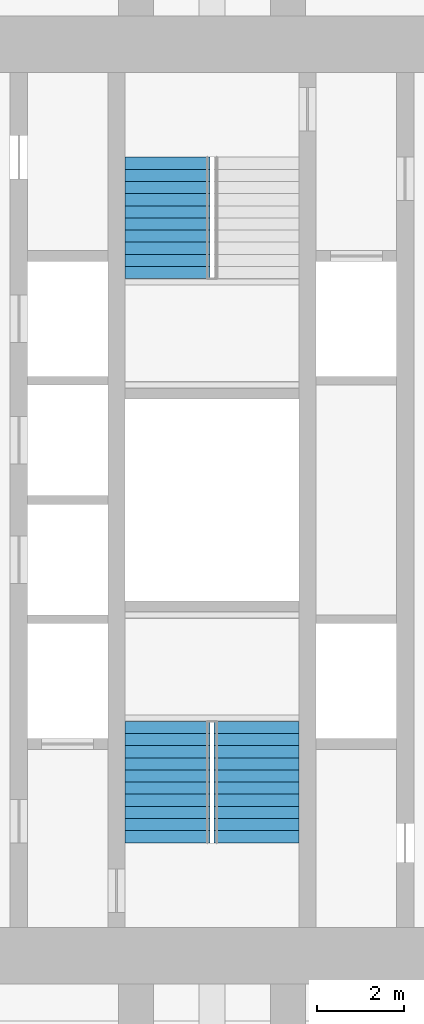
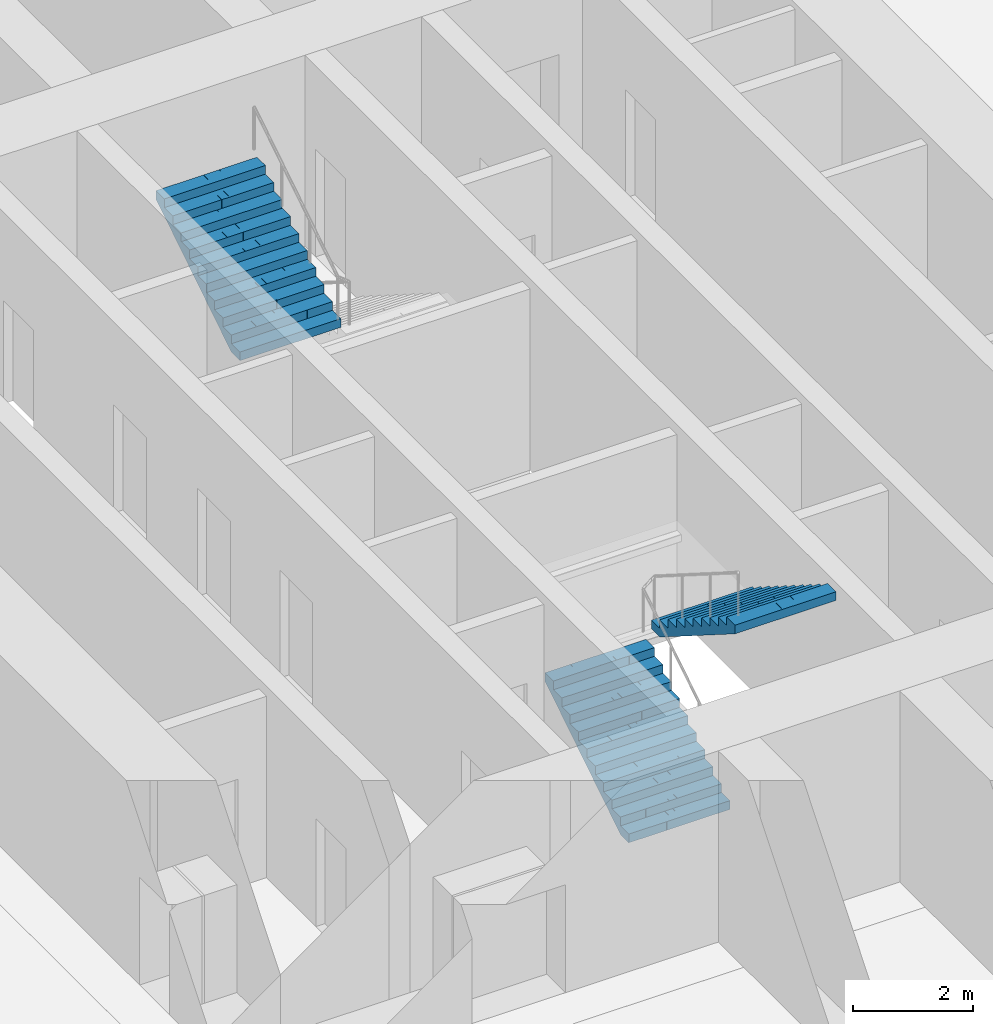
# One storey, part 18 of 20: 3 stair flights, 2 elements without a shape of their own.
"""IFC4 building model written with IfcOpenShell, lengths in metres."""

from ifc_helpers import new_model, si_unit, direction, frame, origin, place, context, subcontext, project, spatial, polyline, outline, extrude, material, type_object, element, aggregate, save


model = new_model("IFC4")

# Units and contexts
model_context = context("Model", 3, precision=1e-05, world=origin(), true_north=direction((0.0, 1.0)))
body_context = subcontext(model_context, "Body", "Model", "MODEL_VIEW")
ifc_project = project(units=[si_unit("LENGTHUNIT", "METRE"), si_unit("AREAUNIT", "SQUARE_METRE"), si_unit("VOLUMEUNIT", "CUBIC_METRE"), si_unit("PLANEANGLEUNIT", "RADIAN"), si_unit("MASSUNIT", "GRAM", prefix="KILO")], contexts=[model_context])

# Site, building, storey
site_placement = place(None, origin())
site = spatial("IfcSite", under=ifc_project, at=site_placement, CompositionType="ELEMENT")
building_placement = place(site_placement, origin())
building = spatial("IfcBuilding", under=site, at=building_placement, Name="Mizan Broadcast Tower", CompositionType="ELEMENT")
storey_placement = place(building_placement, frame((0.0, 0.0, 151.5)))
storey = spatial("IfcBuildingStorey", under=building, at=storey_placement, Name="L34", CompositionType="ELEMENT", Elevation=151.5)

# Stair, stair flights
ifc_material_1 = material(Name="Concrete C40/50", Category="concrete")
stair_type = type_object("IfcStairType", Name="EXIT STAIR", PredefinedType="HALF_TURN_STAIR", material=ifc_material_1)
stair_1_placement = place(storey_placement, origin())
stair_1 = element("IfcStair", 1, at=stair_1_placement, inside=storey, type_object=stair_type, Name="Stair A L34", PredefinedType="HALF_TURN_STAIR")
ifc_material_2 = material(Name="Concrete C40/50", Category="concrete")
stair_flight_type = type_object("IfcStairFlightType", Name="EXIT STAIR FLIGHT", PredefinedType="STRAIGHT", material=ifc_material_2)
stair_flight_1_placement = place(storey_placement, frame((-1.02490234375, -7.89990234375, 0.0), z_axis=(0.0, 0.0, 1.0), x_axis=(0.0, 1.0, 0.0)))
stair_flight_1 = element("IfcStairFlight", 2, at=stair_flight_1_placement, type_object=stair_flight_type, Name="A flight 1", NumberOfRisers=11, NumberOfTreads=10, PredefinedType="STRAIGHT", RiserHeight=0.177272727, TreadLength=0.28, context=body_context, shape_type="SweptSolid", body=[
    extrude(outline(polyline([(0.0, 0.0), (0.0, 0.17724609375), (0.280029296875, 0.17724609375), (0.280029296875, 0.3544921875), (0.56005859375, 0.3544921875), (0.56005859375, 0.53173828125), (0.840087890625, 0.53173828125), (0.840087890625, 0.708984375), (1.1201171875, 0.708984375), (1.1201171875, 0.886474609375), (1.39990234375, 0.886474609375), (1.39990234375, 1.063720703125), (1.679931640625, 1.063720703125), (1.679931640625, 1.240966796875), (1.9599609375, 1.240966796875), (1.9599609375, 1.418212890625), (2.239990234375, 1.418212890625), (2.239990234375, 1.595458984375), (2.52001953125, 1.595458984375), (2.52001953125, 1.772705078125), (2.800048828125, 1.772705078125), (2.800048828125, 1.949951171875), (2.800048828125, 1.59521484375), (0.2802734375, 0.0), (0.0, 0.0)])), frame((0.0, 0.97509765625, 0.0), z_axis=(0.0, -1.0, 0.0), x_axis=(1.0, 0.0, 0.0)), (0.0, 0.0, 1.0), 0.4873046875),
    extrude(outline(polyline([(0.0, 0.0), (0.0, 0.17724609375), (0.280029296875, 0.17724609375), (0.280029296875, 0.3544921875), (0.56005859375, 0.3544921875), (0.56005859375, 0.53173828125), (0.840087890625, 0.53173828125), (0.840087890625, 0.708984375), (1.1201171875, 0.708984375), (1.1201171875, 0.886474609375), (1.39990234375, 0.886474609375), (1.39990234375, 1.063720703125), (1.679931640625, 1.063720703125), (1.679931640625, 1.240966796875), (1.9599609375, 1.240966796875), (1.9599609375, 1.418212890625), (2.239990234375, 1.418212890625), (2.239990234375, 1.595458984375), (2.52001953125, 1.595458984375), (2.52001953125, 1.772705078125), (2.800048828125, 1.772705078125), (2.800048828125, 1.949951171875), (2.800048828125, 1.59521484375), (0.2802734375, 0.0), (0.0, 0.0)])), frame((0.0, 0.4873046875, 0.0), z_axis=(0.0, -1.0, 0.0), x_axis=(1.0, 0.0, 0.0)), (0.0, 0.0, 1.0), 0.2431640625),
    extrude(outline(polyline([(0.0, 0.0), (0.0, 0.17724609375), (0.280029296875, 0.17724609375), (0.280029296875, 0.3544921875), (0.56005859375, 0.3544921875), (0.56005859375, 0.53173828125), (0.840087890625, 0.53173828125), (0.840087890625, 0.708984375), (1.1201171875, 0.708984375), (1.1201171875, 0.886474609375), (1.39990234375, 0.886474609375), (1.39990234375, 1.063720703125), (1.679931640625, 1.063720703125), (1.679931640625, 1.240966796875), (1.9599609375, 1.240966796875), (1.9599609375, 1.418212890625), (2.239990234375, 1.418212890625), (2.239990234375, 1.595458984375), (2.52001953125, 1.595458984375), (2.52001953125, 1.772705078125), (2.800048828125, 1.772705078125), (2.800048828125, 1.949951171875), (2.800048828125, 1.59521484375), (0.2802734375, 0.0), (0.0, 0.0)])), frame((0.0, 0.24365234375, 0.0), z_axis=(0.0, -1.0, 0.0), x_axis=(1.0, 0.0, 0.0)), (0.0, 0.0, 1.0), 0.121337890625),
    extrude(outline(polyline([(0.0, 0.0), (0.0, 0.17724609375), (0.280029296875, 0.17724609375), (0.280029296875, 0.3544921875), (0.56005859375, 0.3544921875), (0.56005859375, 0.53173828125), (0.840087890625, 0.53173828125), (0.840087890625, 0.708984375), (1.1201171875, 0.708984375), (1.1201171875, 0.886474609375), (1.39990234375, 0.886474609375), (1.39990234375, 1.063720703125), (1.679931640625, 1.063720703125), (1.679931640625, 1.240966796875), (1.9599609375, 1.240966796875), (1.9599609375, 1.418212890625), (2.239990234375, 1.418212890625), (2.239990234375, 1.595458984375), (2.52001953125, 1.595458984375), (2.52001953125, 1.772705078125), (2.800048828125, 1.772705078125), (2.800048828125, 1.949951171875), (2.800048828125, 1.59521484375), (0.2802734375, 0.0), (0.0, 0.0)])), frame((0.0, 0.121826171875, 0.0), z_axis=(0.0, -1.0, 0.0), x_axis=(1.0, 0.0, 0.0)), (0.0, 0.0, 1.0), 0.060546875),
    extrude(outline(polyline([(0.0, 0.0), (0.0, 0.17724609375), (0.280029296875, 0.17724609375), (0.280029296875, 0.3544921875), (0.56005859375, 0.3544921875), (0.56005859375, 0.53173828125), (0.840087890625, 0.53173828125), (0.840087890625, 0.708984375), (1.1201171875, 0.708984375), (1.1201171875, 0.886474609375), (1.39990234375, 0.886474609375), (1.39990234375, 1.063720703125), (1.679931640625, 1.063720703125), (1.679931640625, 1.240966796875), (1.9599609375, 1.240966796875), (1.9599609375, 1.418212890625), (2.239990234375, 1.418212890625), (2.239990234375, 1.595458984375), (2.52001953125, 1.595458984375), (2.52001953125, 1.772705078125), (2.800048828125, 1.772705078125), (2.800048828125, 1.949951171875), (2.800048828125, 1.59521484375), (0.2802734375, 0.0), (0.0, 0.0)])), frame((0.0, 0.060791015625, 0.0), z_axis=(0.0, -1.0, 0.0), x_axis=(1.0, 0.0, 0.0)), (0.0, 0.0, 1.0), 0.030029296875),
    extrude(outline(polyline([(0.0, 0.0), (0.0, 0.17724609375), (0.280029296875, 0.17724609375), (0.280029296875, 0.3544921875), (0.56005859375, 0.3544921875), (0.56005859375, 0.53173828125), (0.840087890625, 0.53173828125), (0.840087890625, 0.708984375), (1.1201171875, 0.708984375), (1.1201171875, 0.886474609375), (1.39990234375, 0.886474609375), (1.39990234375, 1.063720703125), (1.679931640625, 1.063720703125), (1.679931640625, 1.240966796875), (1.9599609375, 1.240966796875), (1.9599609375, 1.418212890625), (2.239990234375, 1.418212890625), (2.239990234375, 1.595458984375), (2.52001953125, 1.595458984375), (2.52001953125, 1.772705078125), (2.800048828125, 1.772705078125), (2.800048828125, 1.949951171875), (2.800048828125, 1.59521484375), (0.2802734375, 0.0), (0.0, 0.0)])), frame((0.0, 0.0302734375, 0.0), z_axis=(0.0, -1.0, 0.0), x_axis=(1.0, 0.0, 0.0)), (0.0, 0.0, 1.0), 0.060302734375),
    extrude(outline(polyline([(0.0, 0.0), (0.0, 0.17724609375), (0.280029296875, 0.17724609375), (0.280029296875, 0.3544921875), (0.56005859375, 0.3544921875), (0.56005859375, 0.53173828125), (0.840087890625, 0.53173828125), (0.840087890625, 0.708984375), (1.1201171875, 0.708984375), (1.1201171875, 0.886474609375), (1.39990234375, 0.886474609375), (1.39990234375, 1.063720703125), (1.679931640625, 1.063720703125), (1.679931640625, 1.240966796875), (1.9599609375, 1.240966796875), (1.9599609375, 1.418212890625), (2.239990234375, 1.418212890625), (2.239990234375, 1.595458984375), (2.52001953125, 1.595458984375), (2.52001953125, 1.772705078125), (2.800048828125, 1.772705078125), (2.800048828125, 1.949951171875), (2.800048828125, 1.59521484375), (0.2802734375, 0.0), (0.0, 0.0)])), frame((0.0, -0.030517578125, 0.0), z_axis=(0.0, -1.0, 0.0), x_axis=(1.0, 0.0, 0.0)), (0.0, 0.0, 1.0), 0.030029296875),
    extrude(outline(polyline([(0.0, 0.0), (0.0, 0.17724609375), (0.280029296875, 0.17724609375), (0.280029296875, 0.3544921875), (0.56005859375, 0.3544921875), (0.56005859375, 0.53173828125), (0.840087890625, 0.53173828125), (0.840087890625, 0.708984375), (1.1201171875, 0.708984375), (1.1201171875, 0.886474609375), (1.39990234375, 0.886474609375), (1.39990234375, 1.063720703125), (1.679931640625, 1.063720703125), (1.679931640625, 1.240966796875), (1.9599609375, 1.240966796875), (1.9599609375, 1.418212890625), (2.239990234375, 1.418212890625), (2.239990234375, 1.595458984375), (2.52001953125, 1.595458984375), (2.52001953125, 1.772705078125), (2.800048828125, 1.772705078125), (2.800048828125, 1.949951171875), (2.800048828125, 1.59521484375), (0.2802734375, 0.0), (0.0, 0.0)])), frame((0.0, -0.06103515625, 0.0), z_axis=(0.0, -1.0, 0.0), x_axis=(1.0, 0.0, 0.0)), (0.0, 0.0, 1.0), 0.060546875),
    extrude(outline(polyline([(0.0, 0.0), (0.0, 0.17724609375), (0.280029296875, 0.17724609375), (0.280029296875, 0.3544921875), (0.56005859375, 0.3544921875), (0.56005859375, 0.53173828125), (0.840087890625, 0.53173828125), (0.840087890625, 0.708984375), (1.1201171875, 0.708984375), (1.1201171875, 0.886474609375), (1.39990234375, 0.886474609375), (1.39990234375, 1.063720703125), (1.679931640625, 1.063720703125), (1.679931640625, 1.240966796875), (1.9599609375, 1.240966796875), (1.9599609375, 1.418212890625), (2.239990234375, 1.418212890625), (2.239990234375, 1.595458984375), (2.52001953125, 1.595458984375), (2.52001953125, 1.772705078125), (2.800048828125, 1.772705078125), (2.800048828125, 1.949951171875), (2.800048828125, 1.59521484375), (0.2802734375, 0.0), (0.0, 0.0)])), frame((0.0, -0.1220703125, 0.0), z_axis=(0.0, -1.0, 0.0), x_axis=(1.0, 0.0, 0.0)), (0.0, 0.0, 1.0), 0.121337890625),
    extrude(outline(polyline([(0.0, 0.0), (0.0, 0.17724609375), (0.280029296875, 0.17724609375), (0.280029296875, 0.3544921875), (0.56005859375, 0.3544921875), (0.56005859375, 0.53173828125), (0.840087890625, 0.53173828125), (0.840087890625, 0.708984375), (1.1201171875, 0.708984375), (1.1201171875, 0.886474609375), (1.39990234375, 0.886474609375), (1.39990234375, 1.063720703125), (1.679931640625, 1.063720703125), (1.679931640625, 1.240966796875), (1.9599609375, 1.240966796875), (1.9599609375, 1.418212890625), (2.239990234375, 1.418212890625), (2.239990234375, 1.595458984375), (2.52001953125, 1.595458984375), (2.52001953125, 1.772705078125), (2.800048828125, 1.772705078125), (2.800048828125, 1.949951171875), (2.800048828125, 1.59521484375), (0.2802734375, 0.0), (0.0, 0.0)])), frame((0.0, -0.243896484375, 0.0), z_axis=(0.0, -1.0, 0.0), x_axis=(1.0, 0.0, 0.0)), (0.0, 0.0, 1.0), 0.2431640625),
    extrude(outline(polyline([(0.0, 0.0), (0.0, 0.17724609375), (0.280029296875, 0.17724609375), (0.280029296875, 0.3544921875), (0.56005859375, 0.3544921875), (0.56005859375, 0.53173828125), (0.840087890625, 0.53173828125), (0.840087890625, 0.708984375), (1.1201171875, 0.708984375), (1.1201171875, 0.886474609375), (1.39990234375, 0.886474609375), (1.39990234375, 1.063720703125), (1.679931640625, 1.063720703125), (1.679931640625, 1.240966796875), (1.9599609375, 1.240966796875), (1.9599609375, 1.418212890625), (2.239990234375, 1.418212890625), (2.239990234375, 1.595458984375), (2.52001953125, 1.595458984375), (2.52001953125, 1.772705078125), (2.800048828125, 1.772705078125), (2.800048828125, 1.949951171875), (2.800048828125, 1.59521484375), (0.2802734375, 0.0), (0.0, 0.0)])), frame((0.0, -0.487548828125, 0.0), z_axis=(0.0, -1.0, 0.0), x_axis=(1.0, 0.0, 0.0)), (0.0, 0.0, 1.0), 0.4873046875),
])
stair_flight_2_placement = place(storey_placement, frame((1.02490234375, -5.10009765625, 1.949951171875), z_axis=(0.0, 0.0, 1.0), x_axis=(0.0, -1.0, 0.0)))
stair_flight_2 = element("IfcStairFlight", 3, at=stair_flight_2_placement, type_object=stair_flight_type, Name="A flight 2", NumberOfRisers=11, NumberOfTreads=10, PredefinedType="STRAIGHT", RiserHeight=0.177272727, TreadLength=0.28, context=body_context, shape_type="SweptSolid", body=[
    extrude(outline(polyline([(0.0, 0.0), (0.0, 0.17724609375), (0.280029296875, 0.17724609375), (0.280029296875, 0.3544921875), (0.56005859375, 0.3544921875), (0.56005859375, 0.53173828125), (0.840087890625, 0.53173828125), (0.840087890625, 0.708984375), (1.1201171875, 0.708984375), (1.1201171875, 0.886474609375), (1.39990234375, 0.886474609375), (1.39990234375, 1.063720703125), (1.679931640625, 1.063720703125), (1.679931640625, 1.240966796875), (1.9599609375, 1.240966796875), (1.9599609375, 1.418212890625), (2.239990234375, 1.418212890625), (2.239990234375, 1.595458984375), (2.52001953125, 1.595458984375), (2.52001953125, 1.772705078125), (2.800048828125, 1.772705078125), (2.800048828125, 1.949951171875), (2.800048828125, 1.59521484375), (0.2802734375, 0.0), (0.0, 0.0)])), frame((0.0, 0.97509765625, 0.0), z_axis=(0.0, -1.0, 0.0), x_axis=(1.0, 0.0, 0.0)), (0.0, 0.0, 1.0), 0.4873046875),
    extrude(outline(polyline([(0.0, 0.0), (0.0, 0.17724609375), (0.280029296875, 0.17724609375), (0.280029296875, 0.3544921875), (0.56005859375, 0.3544921875), (0.56005859375, 0.53173828125), (0.840087890625, 0.53173828125), (0.840087890625, 0.708984375), (1.1201171875, 0.708984375), (1.1201171875, 0.886474609375), (1.39990234375, 0.886474609375), (1.39990234375, 1.063720703125), (1.679931640625, 1.063720703125), (1.679931640625, 1.240966796875), (1.9599609375, 1.240966796875), (1.9599609375, 1.418212890625), (2.239990234375, 1.418212890625), (2.239990234375, 1.595458984375), (2.52001953125, 1.595458984375), (2.52001953125, 1.772705078125), (2.800048828125, 1.772705078125), (2.800048828125, 1.949951171875), (2.800048828125, 1.59521484375), (0.2802734375, 0.0), (0.0, 0.0)])), frame((0.0, 0.4873046875, 0.0), z_axis=(0.0, -1.0, 0.0), x_axis=(1.0, 0.0, 0.0)), (0.0, 0.0, 1.0), 0.2431640625),
    extrude(outline(polyline([(0.0, 0.0), (0.0, 0.17724609375), (0.280029296875, 0.17724609375), (0.280029296875, 0.3544921875), (0.56005859375, 0.3544921875), (0.56005859375, 0.53173828125), (0.840087890625, 0.53173828125), (0.840087890625, 0.708984375), (1.1201171875, 0.708984375), (1.1201171875, 0.886474609375), (1.39990234375, 0.886474609375), (1.39990234375, 1.063720703125), (1.679931640625, 1.063720703125), (1.679931640625, 1.240966796875), (1.9599609375, 1.240966796875), (1.9599609375, 1.418212890625), (2.239990234375, 1.418212890625), (2.239990234375, 1.595458984375), (2.52001953125, 1.595458984375), (2.52001953125, 1.772705078125), (2.800048828125, 1.772705078125), (2.800048828125, 1.949951171875), (2.800048828125, 1.59521484375), (0.2802734375, 0.0), (0.0, 0.0)])), frame((0.0, 0.24365234375, 0.0), z_axis=(0.0, -1.0, 0.0), x_axis=(1.0, 0.0, 0.0)), (0.0, 0.0, 1.0), 0.121337890625),
    extrude(outline(polyline([(0.0, 0.0), (0.0, 0.17724609375), (0.280029296875, 0.17724609375), (0.280029296875, 0.3544921875), (0.56005859375, 0.3544921875), (0.56005859375, 0.53173828125), (0.840087890625, 0.53173828125), (0.840087890625, 0.708984375), (1.1201171875, 0.708984375), (1.1201171875, 0.886474609375), (1.39990234375, 0.886474609375), (1.39990234375, 1.063720703125), (1.679931640625, 1.063720703125), (1.679931640625, 1.240966796875), (1.9599609375, 1.240966796875), (1.9599609375, 1.418212890625), (2.239990234375, 1.418212890625), (2.239990234375, 1.595458984375), (2.52001953125, 1.595458984375), (2.52001953125, 1.772705078125), (2.800048828125, 1.772705078125), (2.800048828125, 1.949951171875), (2.800048828125, 1.59521484375), (0.2802734375, 0.0), (0.0, 0.0)])), frame((0.0, 0.121826171875, 0.0), z_axis=(0.0, -1.0, 0.0), x_axis=(1.0, 0.0, 0.0)), (0.0, 0.0, 1.0), 0.060546875),
    extrude(outline(polyline([(0.0, 0.0), (0.0, 0.17724609375), (0.280029296875, 0.17724609375), (0.280029296875, 0.3544921875), (0.56005859375, 0.3544921875), (0.56005859375, 0.53173828125), (0.840087890625, 0.53173828125), (0.840087890625, 0.708984375), (1.1201171875, 0.708984375), (1.1201171875, 0.886474609375), (1.39990234375, 0.886474609375), (1.39990234375, 1.063720703125), (1.679931640625, 1.063720703125), (1.679931640625, 1.240966796875), (1.9599609375, 1.240966796875), (1.9599609375, 1.418212890625), (2.239990234375, 1.418212890625), (2.239990234375, 1.595458984375), (2.52001953125, 1.595458984375), (2.52001953125, 1.772705078125), (2.800048828125, 1.772705078125), (2.800048828125, 1.949951171875), (2.800048828125, 1.59521484375), (0.2802734375, 0.0), (0.0, 0.0)])), frame((0.0, 0.060791015625, 0.0), z_axis=(0.0, -1.0, 0.0), x_axis=(1.0, 0.0, 0.0)), (0.0, 0.0, 1.0), 0.030029296875),
    extrude(outline(polyline([(0.0, 0.0), (0.0, 0.17724609375), (0.280029296875, 0.17724609375), (0.280029296875, 0.3544921875), (0.56005859375, 0.3544921875), (0.56005859375, 0.53173828125), (0.840087890625, 0.53173828125), (0.840087890625, 0.708984375), (1.1201171875, 0.708984375), (1.1201171875, 0.886474609375), (1.39990234375, 0.886474609375), (1.39990234375, 1.063720703125), (1.679931640625, 1.063720703125), (1.679931640625, 1.240966796875), (1.9599609375, 1.240966796875), (1.9599609375, 1.418212890625), (2.239990234375, 1.418212890625), (2.239990234375, 1.595458984375), (2.52001953125, 1.595458984375), (2.52001953125, 1.772705078125), (2.800048828125, 1.772705078125), (2.800048828125, 1.949951171875), (2.800048828125, 1.59521484375), (0.2802734375, 0.0), (0.0, 0.0)])), frame((0.0, 0.0302734375, 0.0), z_axis=(0.0, -1.0, 0.0), x_axis=(1.0, 0.0, 0.0)), (0.0, 0.0, 1.0), 0.060302734375),
    extrude(outline(polyline([(0.0, 0.0), (0.0, 0.17724609375), (0.280029296875, 0.17724609375), (0.280029296875, 0.3544921875), (0.56005859375, 0.3544921875), (0.56005859375, 0.53173828125), (0.840087890625, 0.53173828125), (0.840087890625, 0.708984375), (1.1201171875, 0.708984375), (1.1201171875, 0.886474609375), (1.39990234375, 0.886474609375), (1.39990234375, 1.063720703125), (1.679931640625, 1.063720703125), (1.679931640625, 1.240966796875), (1.9599609375, 1.240966796875), (1.9599609375, 1.418212890625), (2.239990234375, 1.418212890625), (2.239990234375, 1.595458984375), (2.52001953125, 1.595458984375), (2.52001953125, 1.772705078125), (2.800048828125, 1.772705078125), (2.800048828125, 1.949951171875), (2.800048828125, 1.59521484375), (0.2802734375, 0.0), (0.0, 0.0)])), frame((0.0, -0.030517578125, 0.0), z_axis=(0.0, -1.0, 0.0), x_axis=(1.0, 0.0, 0.0)), (0.0, 0.0, 1.0), 0.030029296875),
    extrude(outline(polyline([(0.0, 0.0), (0.0, 0.17724609375), (0.280029296875, 0.17724609375), (0.280029296875, 0.3544921875), (0.56005859375, 0.3544921875), (0.56005859375, 0.53173828125), (0.840087890625, 0.53173828125), (0.840087890625, 0.708984375), (1.1201171875, 0.708984375), (1.1201171875, 0.886474609375), (1.39990234375, 0.886474609375), (1.39990234375, 1.063720703125), (1.679931640625, 1.063720703125), (1.679931640625, 1.240966796875), (1.9599609375, 1.240966796875), (1.9599609375, 1.418212890625), (2.239990234375, 1.418212890625), (2.239990234375, 1.595458984375), (2.52001953125, 1.595458984375), (2.52001953125, 1.772705078125), (2.800048828125, 1.772705078125), (2.800048828125, 1.949951171875), (2.800048828125, 1.59521484375), (0.2802734375, 0.0), (0.0, 0.0)])), frame((0.0, -0.06103515625, 0.0), z_axis=(0.0, -1.0, 0.0), x_axis=(1.0, 0.0, 0.0)), (0.0, 0.0, 1.0), 0.060546875),
    extrude(outline(polyline([(0.0, 0.0), (0.0, 0.17724609375), (0.280029296875, 0.17724609375), (0.280029296875, 0.3544921875), (0.56005859375, 0.3544921875), (0.56005859375, 0.53173828125), (0.840087890625, 0.53173828125), (0.840087890625, 0.708984375), (1.1201171875, 0.708984375), (1.1201171875, 0.886474609375), (1.39990234375, 0.886474609375), (1.39990234375, 1.063720703125), (1.679931640625, 1.063720703125), (1.679931640625, 1.240966796875), (1.9599609375, 1.240966796875), (1.9599609375, 1.418212890625), (2.239990234375, 1.418212890625), (2.239990234375, 1.595458984375), (2.52001953125, 1.595458984375), (2.52001953125, 1.772705078125), (2.800048828125, 1.772705078125), (2.800048828125, 1.949951171875), (2.800048828125, 1.59521484375), (0.2802734375, 0.0), (0.0, 0.0)])), frame((0.0, -0.1220703125, 0.0), z_axis=(0.0, -1.0, 0.0), x_axis=(1.0, 0.0, 0.0)), (0.0, 0.0, 1.0), 0.121337890625),
    extrude(outline(polyline([(0.0, 0.0), (0.0, 0.17724609375), (0.280029296875, 0.17724609375), (0.280029296875, 0.3544921875), (0.56005859375, 0.3544921875), (0.56005859375, 0.53173828125), (0.840087890625, 0.53173828125), (0.840087890625, 0.708984375), (1.1201171875, 0.708984375), (1.1201171875, 0.886474609375), (1.39990234375, 0.886474609375), (1.39990234375, 1.063720703125), (1.679931640625, 1.063720703125), (1.679931640625, 1.240966796875), (1.9599609375, 1.240966796875), (1.9599609375, 1.418212890625), (2.239990234375, 1.418212890625), (2.239990234375, 1.595458984375), (2.52001953125, 1.595458984375), (2.52001953125, 1.772705078125), (2.800048828125, 1.772705078125), (2.800048828125, 1.949951171875), (2.800048828125, 1.59521484375), (0.2802734375, 0.0), (0.0, 0.0)])), frame((0.0, -0.243896484375, 0.0), z_axis=(0.0, -1.0, 0.0), x_axis=(1.0, 0.0, 0.0)), (0.0, 0.0, 1.0), 0.2431640625),
    extrude(outline(polyline([(0.0, 0.0), (0.0, 0.17724609375), (0.280029296875, 0.17724609375), (0.280029296875, 0.3544921875), (0.56005859375, 0.3544921875), (0.56005859375, 0.53173828125), (0.840087890625, 0.53173828125), (0.840087890625, 0.708984375), (1.1201171875, 0.708984375), (1.1201171875, 0.886474609375), (1.39990234375, 0.886474609375), (1.39990234375, 1.063720703125), (1.679931640625, 1.063720703125), (1.679931640625, 1.240966796875), (1.9599609375, 1.240966796875), (1.9599609375, 1.418212890625), (2.239990234375, 1.418212890625), (2.239990234375, 1.595458984375), (2.52001953125, 1.595458984375), (2.52001953125, 1.772705078125), (2.800048828125, 1.772705078125), (2.800048828125, 1.949951171875), (2.800048828125, 1.59521484375), (0.2802734375, 0.0), (0.0, 0.0)])), frame((0.0, -0.487548828125, 0.0), z_axis=(0.0, -1.0, 0.0), x_axis=(1.0, 0.0, 0.0)), (0.0, 0.0, 1.0), 0.4873046875),
])
aggregate(stair_1, [stair_flight_1, stair_flight_2])

# Stair, stair flight
stair_2_placement = place(storey_placement, origin())
stair_2 = element("IfcStair", 4, at=stair_2_placement, inside=storey, type_object=stair_type, Name="Stair B L34", PredefinedType="HALF_TURN_STAIR")
stair_flight_3_placement = place(storey_placement, frame((-1.02490234375, 5.10009765625, 1.949951171875), z_axis=(0.0, 0.0, 1.0), x_axis=(0.0, 1.0, 0.0)))
stair_flight_3 = element("IfcStairFlight", 5, at=stair_flight_3_placement, type_object=stair_flight_type, Name="B flight 2", NumberOfRisers=11, NumberOfTreads=10, PredefinedType="STRAIGHT", RiserHeight=0.177272727, TreadLength=0.28, context=body_context, shape_type="SweptSolid", body=[
    extrude(outline(polyline([(0.0, 0.0), (0.0, 0.17724609375), (0.280029296875, 0.17724609375), (0.280029296875, 0.3544921875), (0.56005859375, 0.3544921875), (0.56005859375, 0.53173828125), (0.840087890625, 0.53173828125), (0.840087890625, 0.708984375), (1.1201171875, 0.708984375), (1.1201171875, 0.886474609375), (1.39990234375, 0.886474609375), (1.39990234375, 1.063720703125), (1.679931640625, 1.063720703125), (1.679931640625, 1.240966796875), (1.9599609375, 1.240966796875), (1.9599609375, 1.418212890625), (2.239990234375, 1.418212890625), (2.239990234375, 1.595458984375), (2.52001953125, 1.595458984375), (2.52001953125, 1.772705078125), (2.800048828125, 1.772705078125), (2.800048828125, 1.949951171875), (2.800048828125, 1.59521484375), (0.2802734375, 0.0), (0.0, 0.0)])), frame((0.0, 0.97509765625, 0.0), z_axis=(0.0, -1.0, 0.0), x_axis=(1.0, 0.0, 0.0)), (0.0, 0.0, 1.0), 0.4873046875),
    extrude(outline(polyline([(0.0, 0.0), (0.0, 0.17724609375), (0.280029296875, 0.17724609375), (0.280029296875, 0.3544921875), (0.56005859375, 0.3544921875), (0.56005859375, 0.53173828125), (0.840087890625, 0.53173828125), (0.840087890625, 0.708984375), (1.1201171875, 0.708984375), (1.1201171875, 0.886474609375), (1.39990234375, 0.886474609375), (1.39990234375, 1.063720703125), (1.679931640625, 1.063720703125), (1.679931640625, 1.240966796875), (1.9599609375, 1.240966796875), (1.9599609375, 1.418212890625), (2.239990234375, 1.418212890625), (2.239990234375, 1.595458984375), (2.52001953125, 1.595458984375), (2.52001953125, 1.772705078125), (2.800048828125, 1.772705078125), (2.800048828125, 1.949951171875), (2.800048828125, 1.59521484375), (0.2802734375, 0.0), (0.0, 0.0)])), frame((0.0, 0.4873046875, 0.0), z_axis=(0.0, -1.0, 0.0), x_axis=(1.0, 0.0, 0.0)), (0.0, 0.0, 1.0), 0.2431640625),
    extrude(outline(polyline([(0.0, 0.0), (0.0, 0.17724609375), (0.280029296875, 0.17724609375), (0.280029296875, 0.3544921875), (0.56005859375, 0.3544921875), (0.56005859375, 0.53173828125), (0.840087890625, 0.53173828125), (0.840087890625, 0.708984375), (1.1201171875, 0.708984375), (1.1201171875, 0.886474609375), (1.39990234375, 0.886474609375), (1.39990234375, 1.063720703125), (1.679931640625, 1.063720703125), (1.679931640625, 1.240966796875), (1.9599609375, 1.240966796875), (1.9599609375, 1.418212890625), (2.239990234375, 1.418212890625), (2.239990234375, 1.595458984375), (2.52001953125, 1.595458984375), (2.52001953125, 1.772705078125), (2.800048828125, 1.772705078125), (2.800048828125, 1.949951171875), (2.800048828125, 1.59521484375), (0.2802734375, 0.0), (0.0, 0.0)])), frame((0.0, 0.24365234375, 0.0), z_axis=(0.0, -1.0, 0.0), x_axis=(1.0, 0.0, 0.0)), (0.0, 0.0, 1.0), 0.121337890625),
    extrude(outline(polyline([(0.0, 0.0), (0.0, 0.17724609375), (0.280029296875, 0.17724609375), (0.280029296875, 0.3544921875), (0.56005859375, 0.3544921875), (0.56005859375, 0.53173828125), (0.840087890625, 0.53173828125), (0.840087890625, 0.708984375), (1.1201171875, 0.708984375), (1.1201171875, 0.886474609375), (1.39990234375, 0.886474609375), (1.39990234375, 1.063720703125), (1.679931640625, 1.063720703125), (1.679931640625, 1.240966796875), (1.9599609375, 1.240966796875), (1.9599609375, 1.418212890625), (2.239990234375, 1.418212890625), (2.239990234375, 1.595458984375), (2.52001953125, 1.595458984375), (2.52001953125, 1.772705078125), (2.800048828125, 1.772705078125), (2.800048828125, 1.949951171875), (2.800048828125, 1.59521484375), (0.2802734375, 0.0), (0.0, 0.0)])), frame((0.0, 0.121826171875, 0.0), z_axis=(0.0, -1.0, 0.0), x_axis=(1.0, 0.0, 0.0)), (0.0, 0.0, 1.0), 0.060546875),
    extrude(outline(polyline([(0.0, 0.0), (0.0, 0.17724609375), (0.280029296875, 0.17724609375), (0.280029296875, 0.3544921875), (0.56005859375, 0.3544921875), (0.56005859375, 0.53173828125), (0.840087890625, 0.53173828125), (0.840087890625, 0.708984375), (1.1201171875, 0.708984375), (1.1201171875, 0.886474609375), (1.39990234375, 0.886474609375), (1.39990234375, 1.063720703125), (1.679931640625, 1.063720703125), (1.679931640625, 1.240966796875), (1.9599609375, 1.240966796875), (1.9599609375, 1.418212890625), (2.239990234375, 1.418212890625), (2.239990234375, 1.595458984375), (2.52001953125, 1.595458984375), (2.52001953125, 1.772705078125), (2.800048828125, 1.772705078125), (2.800048828125, 1.949951171875), (2.800048828125, 1.59521484375), (0.2802734375, 0.0), (0.0, 0.0)])), frame((0.0, 0.060791015625, 0.0), z_axis=(0.0, -1.0, 0.0), x_axis=(1.0, 0.0, 0.0)), (0.0, 0.0, 1.0), 0.030029296875),
    extrude(outline(polyline([(0.0, 0.0), (0.0, 0.17724609375), (0.280029296875, 0.17724609375), (0.280029296875, 0.3544921875), (0.56005859375, 0.3544921875), (0.56005859375, 0.53173828125), (0.840087890625, 0.53173828125), (0.840087890625, 0.708984375), (1.1201171875, 0.708984375), (1.1201171875, 0.886474609375), (1.39990234375, 0.886474609375), (1.39990234375, 1.063720703125), (1.679931640625, 1.063720703125), (1.679931640625, 1.240966796875), (1.9599609375, 1.240966796875), (1.9599609375, 1.418212890625), (2.239990234375, 1.418212890625), (2.239990234375, 1.595458984375), (2.52001953125, 1.595458984375), (2.52001953125, 1.772705078125), (2.800048828125, 1.772705078125), (2.800048828125, 1.949951171875), (2.800048828125, 1.59521484375), (0.2802734375, 0.0), (0.0, 0.0)])), frame((0.0, 0.0302734375, 0.0), z_axis=(0.0, -1.0, 0.0), x_axis=(1.0, 0.0, 0.0)), (0.0, 0.0, 1.0), 0.060302734375),
    extrude(outline(polyline([(0.0, 0.0), (0.0, 0.17724609375), (0.280029296875, 0.17724609375), (0.280029296875, 0.3544921875), (0.56005859375, 0.3544921875), (0.56005859375, 0.53173828125), (0.840087890625, 0.53173828125), (0.840087890625, 0.708984375), (1.1201171875, 0.708984375), (1.1201171875, 0.886474609375), (1.39990234375, 0.886474609375), (1.39990234375, 1.063720703125), (1.679931640625, 1.063720703125), (1.679931640625, 1.240966796875), (1.9599609375, 1.240966796875), (1.9599609375, 1.418212890625), (2.239990234375, 1.418212890625), (2.239990234375, 1.595458984375), (2.52001953125, 1.595458984375), (2.52001953125, 1.772705078125), (2.800048828125, 1.772705078125), (2.800048828125, 1.949951171875), (2.800048828125, 1.59521484375), (0.2802734375, 0.0), (0.0, 0.0)])), frame((0.0, -0.030517578125, 0.0), z_axis=(0.0, -1.0, 0.0), x_axis=(1.0, 0.0, 0.0)), (0.0, 0.0, 1.0), 0.030029296875),
    extrude(outline(polyline([(0.0, 0.0), (0.0, 0.17724609375), (0.280029296875, 0.17724609375), (0.280029296875, 0.3544921875), (0.56005859375, 0.3544921875), (0.56005859375, 0.53173828125), (0.840087890625, 0.53173828125), (0.840087890625, 0.708984375), (1.1201171875, 0.708984375), (1.1201171875, 0.886474609375), (1.39990234375, 0.886474609375), (1.39990234375, 1.063720703125), (1.679931640625, 1.063720703125), (1.679931640625, 1.240966796875), (1.9599609375, 1.240966796875), (1.9599609375, 1.418212890625), (2.239990234375, 1.418212890625), (2.239990234375, 1.595458984375), (2.52001953125, 1.595458984375), (2.52001953125, 1.772705078125), (2.800048828125, 1.772705078125), (2.800048828125, 1.949951171875), (2.800048828125, 1.59521484375), (0.2802734375, 0.0), (0.0, 0.0)])), frame((0.0, -0.06103515625, 0.0), z_axis=(0.0, -1.0, 0.0), x_axis=(1.0, 0.0, 0.0)), (0.0, 0.0, 1.0), 0.060546875),
    extrude(outline(polyline([(0.0, 0.0), (0.0, 0.17724609375), (0.280029296875, 0.17724609375), (0.280029296875, 0.3544921875), (0.56005859375, 0.3544921875), (0.56005859375, 0.53173828125), (0.840087890625, 0.53173828125), (0.840087890625, 0.708984375), (1.1201171875, 0.708984375), (1.1201171875, 0.886474609375), (1.39990234375, 0.886474609375), (1.39990234375, 1.063720703125), (1.679931640625, 1.063720703125), (1.679931640625, 1.240966796875), (1.9599609375, 1.240966796875), (1.9599609375, 1.418212890625), (2.239990234375, 1.418212890625), (2.239990234375, 1.595458984375), (2.52001953125, 1.595458984375), (2.52001953125, 1.772705078125), (2.800048828125, 1.772705078125), (2.800048828125, 1.949951171875), (2.800048828125, 1.59521484375), (0.2802734375, 0.0), (0.0, 0.0)])), frame((0.0, -0.1220703125, 0.0), z_axis=(0.0, -1.0, 0.0), x_axis=(1.0, 0.0, 0.0)), (0.0, 0.0, 1.0), 0.121337890625),
    extrude(outline(polyline([(0.0, 0.0), (0.0, 0.17724609375), (0.280029296875, 0.17724609375), (0.280029296875, 0.3544921875), (0.56005859375, 0.3544921875), (0.56005859375, 0.53173828125), (0.840087890625, 0.53173828125), (0.840087890625, 0.708984375), (1.1201171875, 0.708984375), (1.1201171875, 0.886474609375), (1.39990234375, 0.886474609375), (1.39990234375, 1.063720703125), (1.679931640625, 1.063720703125), (1.679931640625, 1.240966796875), (1.9599609375, 1.240966796875), (1.9599609375, 1.418212890625), (2.239990234375, 1.418212890625), (2.239990234375, 1.595458984375), (2.52001953125, 1.595458984375), (2.52001953125, 1.772705078125), (2.800048828125, 1.772705078125), (2.800048828125, 1.949951171875), (2.800048828125, 1.59521484375), (0.2802734375, 0.0), (0.0, 0.0)])), frame((0.0, -0.243896484375, 0.0), z_axis=(0.0, -1.0, 0.0), x_axis=(1.0, 0.0, 0.0)), (0.0, 0.0, 1.0), 0.2431640625),
    extrude(outline(polyline([(0.0, 0.0), (0.0, 0.17724609375), (0.280029296875, 0.17724609375), (0.280029296875, 0.3544921875), (0.56005859375, 0.3544921875), (0.56005859375, 0.53173828125), (0.840087890625, 0.53173828125), (0.840087890625, 0.708984375), (1.1201171875, 0.708984375), (1.1201171875, 0.886474609375), (1.39990234375, 0.886474609375), (1.39990234375, 1.063720703125), (1.679931640625, 1.063720703125), (1.679931640625, 1.240966796875), (1.9599609375, 1.240966796875), (1.9599609375, 1.418212890625), (2.239990234375, 1.418212890625), (2.239990234375, 1.595458984375), (2.52001953125, 1.595458984375), (2.52001953125, 1.772705078125), (2.800048828125, 1.772705078125), (2.800048828125, 1.949951171875), (2.800048828125, 1.59521484375), (0.2802734375, 0.0), (0.0, 0.0)])), frame((0.0, -0.487548828125, 0.0), z_axis=(0.0, -1.0, 0.0), x_axis=(1.0, 0.0, 0.0)), (0.0, 0.0, 1.0), 0.4873046875),
])
aggregate(stair_2, [stair_flight_3])

save(model, "model.ifc")
